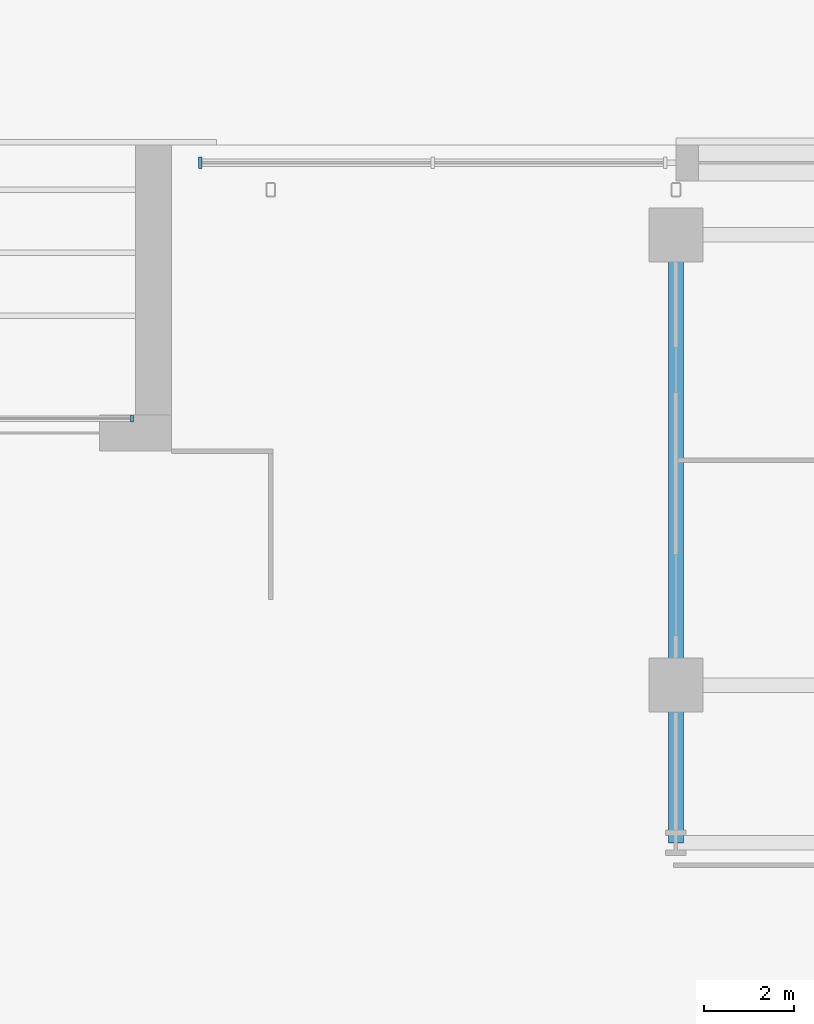
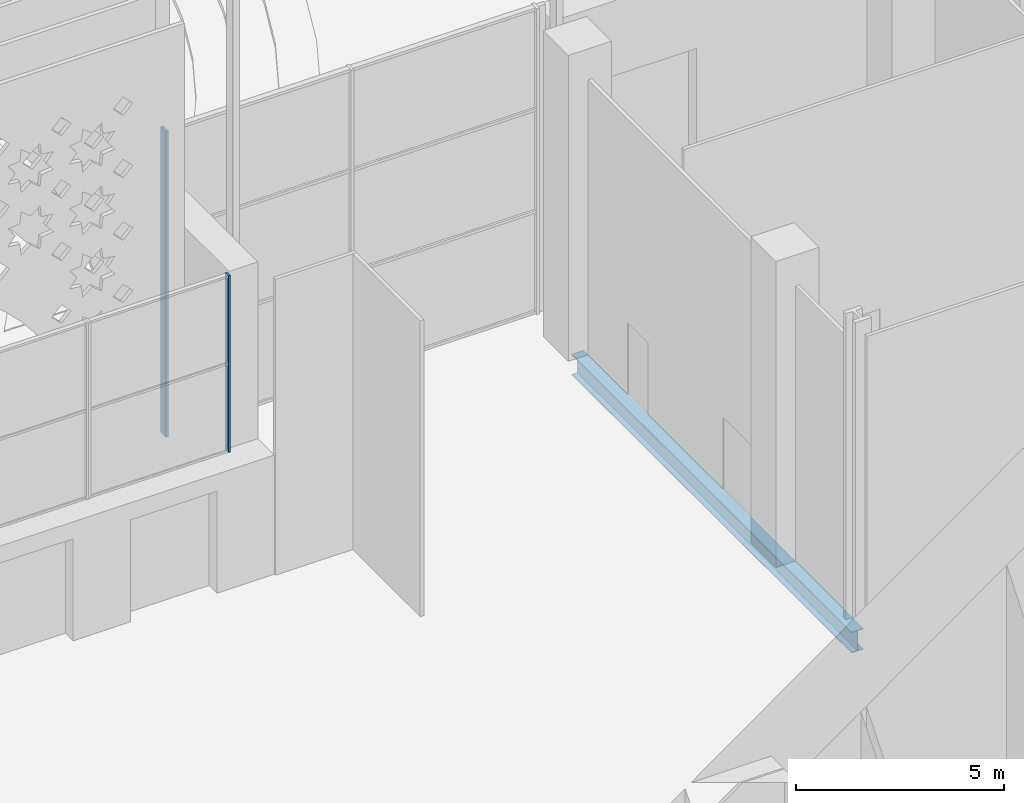
# One storey, part 6 of 23: 2 members, 1 beam, 2 elements without a shape of their own.
"""IFC4 building model written with IfcOpenShell, lengths in metres."""

from ifc_helpers import new_model, si_unit, direction, frame, origin, origin_2d, place, context, subcontext, project, spatial, rectangle, i_section, extrude, material, material_profile, profile_set, type_object, element, aggregate, save


model = new_model("IFC4")

# Units and contexts
model_context = context("Model", 3, precision=1e-05, world=origin(), true_north=direction((0.0, 1.0)))
body_context = subcontext(model_context, "Body", "Model", "MODEL_VIEW")
ifc_project = project(units=[si_unit("LENGTHUNIT", "METRE"), si_unit("AREAUNIT", "SQUARE_METRE"), si_unit("VOLUMEUNIT", "CUBIC_METRE"), si_unit("PLANEANGLEUNIT", "RADIAN"), si_unit("MASSUNIT", "GRAM", prefix="KILO")], contexts=[model_context])

# Site, building, storey
site_placement = place(None, origin())
site = spatial("IfcSite", under=ifc_project, at=site_placement, CompositionType="ELEMENT")
building_placement = place(site_placement, origin())
building = spatial("IfcBuilding", under=site, at=building_placement, Name="Zellij Exchange Tower", CompositionType="ELEMENT")
storey_placement = place(building_placement, origin())
storey = spatial("IfcBuildingStorey", under=building, at=storey_placement, Name="L00", CompositionType="ELEMENT", Elevation=0.0)

# Curtain wall, member
ifc_material_1 = material(Name="Aluminium frame, clear insulating glass", Category="aluminium")
curtain_wall_type_1 = type_object("IfcCurtainWallType", Name="ENV-CW3 Exchange-hall glazing", PredefinedType="NOTDEFINED", material=ifc_material_1)
curtain_wall_1_placement = place(storey_placement, origin())
curtain_wall_1 = element("IfcCurtainWall", 1, at=curtain_wall_1_placement, inside=storey, type_object=curtain_wall_type_1, Name="cw.L00.14b", PredefinedType="NOTDEFINED")
ifc_material_2 = material(Name="Aluminium", Category="aluminium")
ifc_material_profile_1 = material_profile(ifc_material_2, rectangle(XDim=0.080078125, YDim=0.25, at=origin_2d()), Name="AL 80x250")
ifc_profile_set_1 = profile_set([ifc_material_profile_1], Name="Aluminium")
member_type_1 = type_object("IfcMemberType", Name="ENV-CW3M Mullion 80x250", PredefinedType="MULLION", material=ifc_profile_set_1)
member_1_placement = place(storey_placement, frame((7.43994140625, 19.60009765625, 0.0), z_axis=(0.0, 0.0, 1.0), x_axis=(-1.0, 0.0, 0.0)))
member_1 = element("IfcMember", 2, at=member_1_placement, type_object=member_type_1, Name="CW3 mullion 3", PredefinedType="MULLION", context=body_context, shape_type="SweptSolid", body=[
    extrude(rectangle(XDim=0.080078125, YDim=0.25, at=origin_2d()), origin(), (0.0, 0.0, 1.0), 9.0),
])
aggregate(curtain_wall_1, [member_1])

ifc_material_3 = material(Name="Aluminium frame, clear laminated glass", Category="aluminium")
curtain_wall_type_2 = type_object("IfcCurtainWallType", Name="ENV-CW4 Iwan portal glazing", PredefinedType="NOTDEFINED", material=ifc_material_3)
curtain_wall_2_placement = place(storey_placement, origin())
curtain_wall_2 = element("IfcCurtainWall", 3, at=curtain_wall_2_placement, inside=storey, type_object=curtain_wall_type_2, Name="cw.L00.iwan.Nc", PredefinedType="NOTDEFINED")
ifc_material_profile_2 = material_profile(ifc_material_2, rectangle(XDim=0.06005859375, YDim=0.159912109375, at=origin_2d()), Name="AL 60x160")
ifc_profile_set_2 = profile_set([ifc_material_profile_2], Name="Aluminium")
member_type_2 = type_object("IfcMemberType", Name="ENV-CW4M Mullion 60x160", PredefinedType="MULLION", material=ifc_profile_set_2)
member_2_placement = place(storey_placement, frame((5.919921875, 13.919921875, 3.5), z_axis=(0.0, 0.0, 1.0), x_axis=(1.0, 0.0, 0.0)))
member_2 = element("IfcMember", 4, at=member_2_placement, type_object=member_type_2, Name="CW4 mullion 2", PredefinedType="MULLION", context=body_context, shape_type="SweptSolid", body=[
    extrude(rectangle(XDim=0.06005859375, YDim=0.159912109375, at=origin_2d()), origin(), (0.0, 0.0, 1.0), 5.199951171875),
])
aggregate(curtain_wall_2, [member_2])

# Beam
ifc_material_4 = material(Name="Structural steel ASTM A992 Gr 50", Category="steel")
ifc_material_profile_3 = material_profile(ifc_material_4, i_section(OverallWidth=0.3251953125, OverallDepth=0.612060546875, WebThickness=0.0126953125, FlangeThickness=0.01904296875, at=origin_2d()), Name="W24x104")
ifc_profile_set_3 = profile_set([ifc_material_profile_3], Name="Structural steel ASTM A992 Gr 50")
beam_type = type_object("IfcBeamType", Name="STR-GIRDER W24x104", PredefinedType="BEAM", material=ifc_profile_set_3)
beam_placement = place(storey_placement, frame((18.0, 4.5, -0.606201171875), z_axis=(0.0, 1.0, 0.0), x_axis=(-1.0, 0.0, 0.0)))
element("IfcBeam", 5, at=beam_placement, inside=storey, type_object=beam_type, Name="G3", PredefinedType="BEAM", context=body_context, shape_type="SweptSolid", body=[
    extrude(i_section(OverallWidth=0.3251953125, OverallDepth=0.612060546875, WebThickness=0.0126953125, FlangeThickness=0.01904296875, at=origin_2d()), origin(), (0.0, 0.0, 1.0), 13.5),
])

save(model, "model.ifc")
